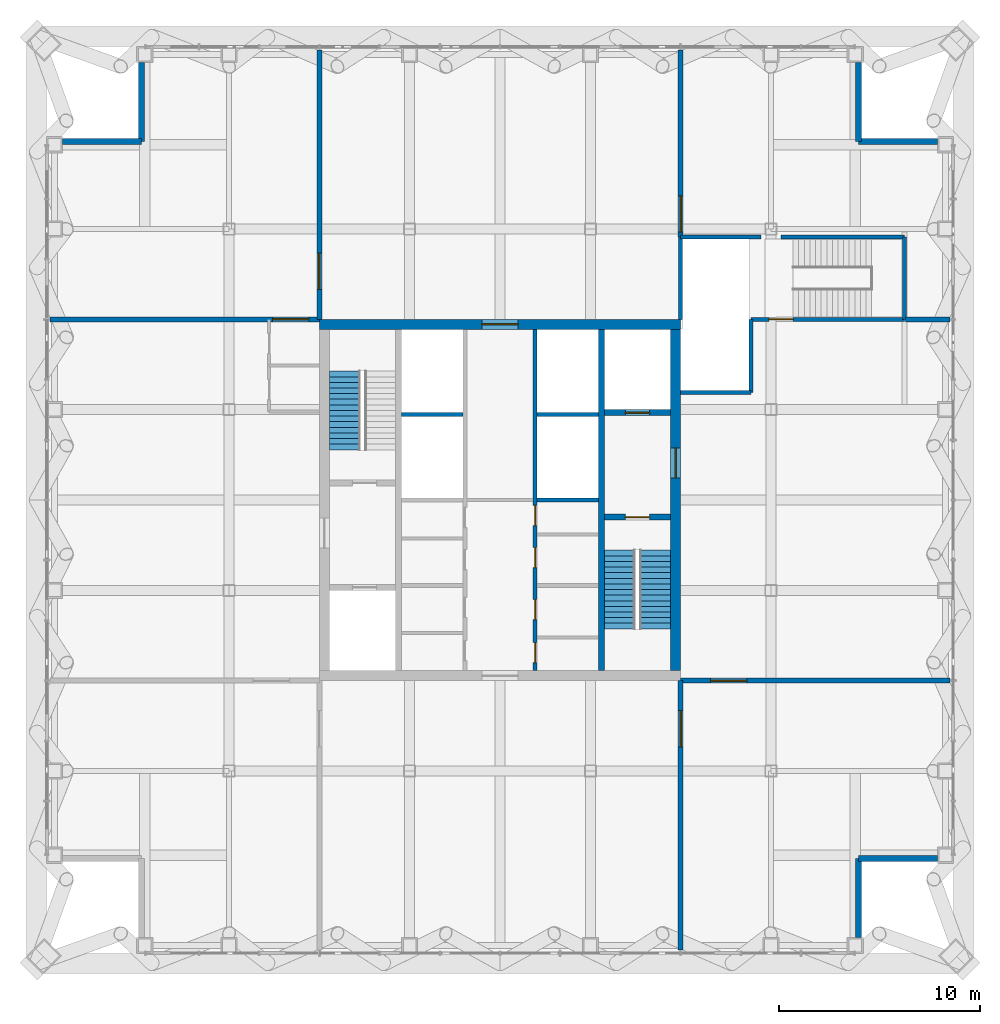
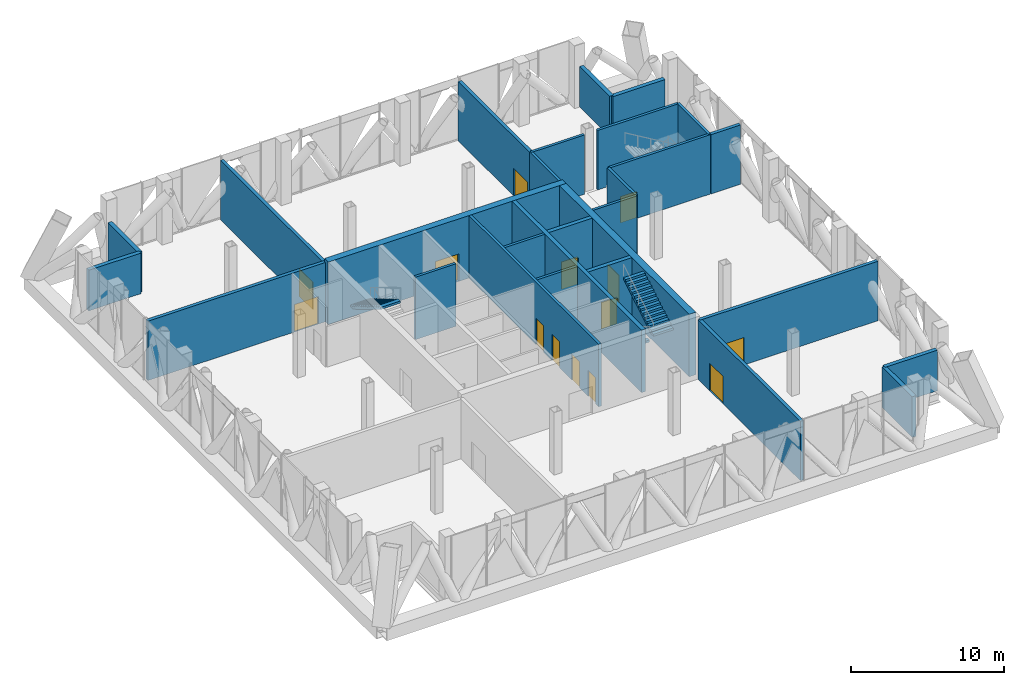
# One storey, part 15 of 27: 28 walls, 14 doors, 3 stair flights, 14 openings, 2 elements without a shape of their own.
"""IFC4 building model written with IfcOpenShell, lengths in metres."""

from ifc_helpers import new_model, si_unit, direction, frame, frame_2d, origin, place, context, subcontext, project, spatial, polyline, rectangle, outline, extrude, material, layer, layer_set, type_object, element, fill, aggregate, save


model = new_model("IFC4")

# Units and contexts
model_context = context("Model", 3, precision=1e-05, world=origin(), true_north=direction((0.0, 1.0)))
body_context = subcontext(model_context, "Body", "Model", "MODEL_VIEW")
ifc_project = project(units=[si_unit("LENGTHUNIT", "METRE"), si_unit("AREAUNIT", "SQUARE_METRE"), si_unit("VOLUMEUNIT", "CUBIC_METRE"), si_unit("PLANEANGLEUNIT", "RADIAN"), si_unit("MASSUNIT", "GRAM", prefix="KILO")], contexts=[model_context])

# Site, building, storey
site_placement = place(None, origin())
site = spatial("IfcSite", under=ifc_project, at=site_placement, CompositionType="ELEMENT")
building_placement = place(site_placement, origin())
building = spatial("IfcBuilding", under=site, at=building_placement, Name="Malebo Sky Hospital", CompositionType="ELEMENT")
storey_placement = place(building_placement, frame((0.0, 0.0, 245.0)))
storey = spatial("IfcBuildingStorey", under=building, at=storey_placement, Name="L59", CompositionType="ELEMENT", Elevation=245.0)

# Wall, openings, doors
ifc_material_1 = material(Name="Concrete C80/95", Category="concrete")
ifc_layer_1 = layer(ifc_material_1, 0.199951171875)
ifc_layer_set_1 = layer_set([ifc_layer_1], Name="CORE INNER WALL 200")
wall_type_1 = type_object("IfcWallType", Name="CORE INNER WALL 200", PredefinedType="SHEAR", material=ifc_layer_set_1)
wall_1_placement = place(storey_placement, frame((61.75, 53.5, 0.0), z_axis=(0.0, 0.0, 1.0), x_axis=(0.0, 1.0, 0.0)))
wall_1 = element("IfcWall", 1, at=wall_1_placement, inside=storey, type_object=wall_type_1, Name="Core wall LE L59", PredefinedType="SHEAR", context=body_context, shape_type="SweptSolid", body=[
    extrude(rectangle(XDim=17.0, YDim=0.199951171875, at=frame_2d((8.5, 0.0))), origin(), (0.0, 0.0, 1.0), 5.0),
])
opening_1_placement = place(wall_1_placement, frame((0.392578125, 0.0, 0.0)))
opening_1 = element("IfcOpeningElement", 2, at=opening_1_placement, cuts=wall_1, Name="Opening D17", PredefinedType="OPENING", context=body_context, shape_type="SweptSolid", body=[
    extrude(rectangle(XDim=1.0, YDim=2.10009765625, at=frame_2d((0.5, 1.050048828125))), frame((0.0, 0.10986328125, 0.0), z_axis=(0.0, -1.0, 0.0), x_axis=(1.0, 0.0, 0.0)), (0.0, 0.0, 1.0), 0.219970703125),
])
opening_2_placement = place(wall_1_placement, frame((2.54248046875, 0.0, 0.0)))
opening_2 = element("IfcOpeningElement", 3, at=opening_2_placement, cuts=wall_1, Name="Opening D17", PredefinedType="OPENING", context=body_context, shape_type="SweptSolid", body=[
    extrude(rectangle(XDim=1.0, YDim=2.10009765625, at=frame_2d((0.5, 1.050048828125))), frame((0.0, 0.10986328125, 0.0), z_axis=(0.0, -1.0, 0.0), x_axis=(1.0, 0.0, 0.0)), (0.0, 0.0, 1.0), 0.219970703125),
])
opening_3_placement = place(wall_1_placement, frame((5.12744140625, 0.0, 0.0)))
opening_3 = element("IfcOpeningElement", 4, at=opening_3_placement, cuts=wall_1, Name="Opening D17", PredefinedType="OPENING", context=body_context, shape_type="SweptSolid", body=[
    extrude(rectangle(XDim=1.0, YDim=2.10009765625, at=frame_2d((0.5, 1.050048828125))), frame((0.0, 0.10986328125, 0.0), z_axis=(0.0, -1.0, 0.0), x_axis=(1.0, 0.0, 0.0)), (0.0, 0.0, 1.0), 0.219970703125),
])
opening_4_placement = place(wall_1_placement, frame((7.2275390625, 0.0, 0.0)))
opening_4 = element("IfcOpeningElement", 5, at=opening_4_placement, cuts=wall_1, Name="Opening D17", PredefinedType="OPENING", context=body_context, shape_type="SweptSolid", body=[
    extrude(rectangle(XDim=1.0, YDim=2.10009765625, at=frame_2d((0.5, 1.050048828125))), frame((0.0, 0.10986328125, 0.0), z_axis=(0.0, -1.0, 0.0), x_axis=(1.0, 0.0, 0.0)), (0.0, 0.0, 1.0), 0.219970703125),
])
ifc_material_2 = material(Name="Hardwood-faced door leaf in steel frame", Category="steel")
door_type_1 = type_object("IfcDoorType", Name="FIRE DOOR 1000", OperationType="SINGLE_SWING_LEFT", PredefinedType="DOOR", material=ifc_material_2)
door_1_placement = place(opening_1_placement, origin())
door_1 = element("IfcDoor", 6, at=door_1_placement, inside=storey, type_object=door_type_1, Name="Pipe riser room door", OperationType="SINGLE_SWING_RIGHT", OverallHeight=2.10009765625, OverallWidth=1.0, PredefinedType="DOOR", context=body_context, shape_type="SweptSolid", body=[
    extrude(rectangle(XDim=1.0, YDim=2.10009765625, at=frame_2d((0.5, 1.050048828125))), frame((0.0, 0.02490234375, 0.0), z_axis=(0.0, -1.0, 0.0), x_axis=(1.0, 0.0, 0.0)), (0.0, 0.0, 1.0), 0.050048828125),
])
fill(opening_1, door_1)
door_2_placement = place(opening_2_placement, origin())
door_2 = element("IfcDoor", 7, at=door_2_placement, inside=storey, type_object=door_type_1, Name="Cable riser room door", OperationType="SINGLE_SWING_RIGHT", OverallHeight=2.10009765625, OverallWidth=1.0, PredefinedType="DOOR", context=body_context, shape_type="SweptSolid", body=[
    extrude(rectangle(XDim=1.0, YDim=2.10009765625, at=frame_2d((0.5, 1.050048828125))), frame((0.0, 0.02490234375, 0.0), z_axis=(0.0, -1.0, 0.0), x_axis=(1.0, 0.0, 0.0)), (0.0, 0.0, 1.0), 0.050048828125),
])
fill(opening_2, door_2)
door_3_placement = place(opening_3_placement, origin())
door_3 = element("IfcDoor", 8, at=door_3_placement, inside=storey, type_object=door_type_1, Name="Duct riser room door", OperationType="SINGLE_SWING_RIGHT", OverallHeight=2.10009765625, OverallWidth=1.0, PredefinedType="DOOR", context=body_context, shape_type="SweptSolid", body=[
    extrude(rectangle(XDim=1.0, YDim=2.10009765625, at=frame_2d((0.5, 1.050048828125))), frame((0.0, 0.02490234375, 0.0), z_axis=(0.0, -1.0, 0.0), x_axis=(1.0, 0.0, 0.0)), (0.0, 0.0, 1.0), 0.050048828125),
])
fill(opening_3, door_3)
door_4_placement = place(opening_4_placement, origin())
door_4 = element("IfcDoor", 9, at=door_4_placement, inside=storey, type_object=door_type_1, Name="Pipe riser room door", OperationType="SINGLE_SWING_RIGHT", OverallHeight=2.10009765625, OverallWidth=1.0, PredefinedType="DOOR", context=body_context, shape_type="SweptSolid", body=[
    extrude(rectangle(XDim=1.0, YDim=2.10009765625, at=frame_2d((0.5, 1.050048828125))), frame((0.0, 0.02490234375, 0.0), z_axis=(0.0, -1.0, 0.0), x_axis=(1.0, 0.0, 0.0)), (0.0, 0.0, 1.0), 0.050048828125),
])
fill(opening_4, door_4)

# Walls
for number, where, z_axis, x_axis, name in (
    (10, (61.85009765625, 62.0, 0.0), (0.0, 0.0, 1.0), (1.0, 0.0, 0.0), "Core wall SE1 L59"),
    (11, (55.10009765625, 66.25, 0.0), (0.0, 0.0, 1.0), (1.0, 0.0, 0.0), "Core wall SW2 L59"),
    (12, (61.85009765625, 66.25, 0.0), (0.0, 0.0, 1.0), (1.0, 0.0, 0.0), "Core wall SE2 L59"),
):
    element("IfcWall", number, at=place(storey_placement, frame(where, z_axis=z_axis, x_axis=x_axis)), inside=storey, type_object=wall_type_1, Name=name, PredefinedType="SHEAR", context=body_context, shape_type="SweptSolid", body=[
        extrude(rectangle(XDim=3.0498046875, YDim=0.199951171875, at=frame_2d((1.52490234375, 0.0))), origin(), (0.0, 0.0, 1.0), 5.0),
    ])
ifc_layer_2 = layer(ifc_material_1, 0.300048828125)
ifc_layer_set_2 = layer_set([ifc_layer_2], Name="CORE INNER WALL 300")
wall_type_2 = type_object("IfcWallType", Name="CORE INNER WALL 300", PredefinedType="SHEAR", material=ifc_layer_set_2)
wall_2_placement = place(storey_placement, frame((65.050048828125, 53.5, 0.0), z_axis=(0.0, 0.0, 1.0), x_axis=(0.0, 1.0, 0.0)))
element("IfcWall", 13, at=wall_2_placement, inside=storey, type_object=wall_type_2, Name="Core wall XE L59", PredefinedType="SHEAR", context=body_context, shape_type="SweptSolid", body=[
    extrude(rectangle(XDim=17.0, YDim=0.300048828125, at=frame_2d((8.5, 0.0))), origin(), (0.0, 0.0, 1.0), 5.0),
])

# Wall, opening, door
wall_3_placement = place(storey_placement, frame((65.199951171875, 61.14990234375, 0.0), z_axis=(0.0, 0.0, 1.0), x_axis=(1.0, 0.0, 0.0)))
wall_3 = element("IfcWall", 14, at=wall_3_placement, inside=storey, type_object=wall_type_2, Name="Core wall E1 L59", PredefinedType="SHEAR", context=body_context, shape_type="SweptSolid", body=[
    extrude(rectangle(XDim=3.300048828125, YDim=0.300048828125, at=frame_2d((1.64990234375, 0.0))), origin(), (0.0, 0.0, 1.0), 5.0),
])
opening_5_placement = place(wall_3_placement, frame((1.050048828125, 0.0, 0.0)))
opening_5 = element("IfcOpeningElement", 15, at=opening_5_placement, cuts=wall_3, Name="Opening D08", PredefinedType="OPENING", context=body_context, shape_type="SweptSolid", body=[
    extrude(rectangle(XDim=1.199951171875, YDim=2.10009765625, at=frame_2d((0.60009765625, 1.050048828125))), frame((0.0, 0.159912109375, 0.0), z_axis=(0.0, -1.0, 0.0), x_axis=(1.0, 0.0, 0.0)), (0.0, 0.0, 1.0), 0.320068359375),
])
door_type_2 = type_object("IfcDoorType", Name="STAIR DOOR 1200", OperationType="SINGLE_SWING_LEFT", PredefinedType="DOOR", material=ifc_material_2)
door_5_placement = place(opening_5_placement, origin())
door_5 = element("IfcDoor", 16, at=door_5_placement, inside=storey, type_object=door_type_2, Name="Stair S2 door", OperationType="SINGLE_SWING_LEFT", OverallHeight=2.10009765625, OverallWidth=1.199951171875, PredefinedType="DOOR", context=body_context, shape_type="SweptSolid", body=[
    extrude(rectangle(XDim=1.199951171875, YDim=2.10009765625, at=frame_2d((0.60009765625, 1.050048828125))), frame((0.0, 0.02490234375, 0.0), z_axis=(0.0, -1.0, 0.0), x_axis=(1.0, 0.0, 0.0)), (0.0, 0.0, 1.0), 0.050048828125),
])
fill(opening_5, door_5)

wall_4_placement = place(storey_placement, frame((65.199951171875, 66.35009765625, 0.0), z_axis=(0.0, 0.0, 1.0), x_axis=(1.0, 0.0, 0.0)))
wall_4 = element("IfcWall", 17, at=wall_4_placement, inside=storey, type_object=wall_type_2, Name="Core wall E2 L59", PredefinedType="SHEAR", context=body_context, shape_type="SweptSolid", body=[
    extrude(rectangle(XDim=3.300048828125, YDim=0.300048828125, at=frame_2d((1.64990234375, 0.0))), origin(), (0.0, 0.0, 1.0), 5.0),
])
opening_6_placement = place(wall_4_placement, frame((1.050048828125, 0.0, 0.0)))
opening_6 = element("IfcOpeningElement", 18, at=opening_6_placement, cuts=wall_4, Name="Opening LD2", PredefinedType="OPENING", context=body_context, shape_type="SweptSolid", body=[
    extrude(rectangle(XDim=1.199951171875, YDim=2.199951171875, at=frame_2d((0.60009765625, 1.10009765625))), frame((0.0, 0.159912109375, 0.0), z_axis=(0.0, -1.0, 0.0), x_axis=(1.0, 0.0, 0.0)), (0.0, 0.0, 1.0), 0.320068359375),
])
ifc_material_3 = material(Name="Stainless steel sliding landing door", Category="steel")
door_type_3 = type_object("IfcDoorType", Name="FIRE-FIGHTING LIFT LANDING DOOR 1200", OperationType="SLIDING_TO_LEFT", PredefinedType="DOOR", material=ifc_material_3)
door_6_placement = place(opening_6_placement, origin())
door_6 = element("IfcDoor", 19, at=door_6_placement, inside=storey, type_object=door_type_3, Name="Lift FL2 landing door", OperationType="SLIDING_TO_LEFT", OverallHeight=2.199951171875, OverallWidth=1.199951171875, PredefinedType="DOOR", context=body_context, shape_type="SweptSolid", body=[
    extrude(rectangle(XDim=1.199951171875, YDim=2.199951171875, at=frame_2d((0.60009765625, 1.10009765625))), frame((0.0, 0.02490234375, 0.0), z_axis=(0.0, -1.0, 0.0), x_axis=(1.0, 0.0, 0.0)), (0.0, 0.0, 1.0), 0.050048828125),
])
fill(opening_6, door_6)

ifc_layer_3 = layer(ifc_material_1, 0.5)
ifc_layer_set_3 = layer_set([ifc_layer_3], Name="CORE WALL 500")
wall_type_3 = type_object("IfcWallType", Name="CORE WALL 500", PredefinedType="SHEAR", material=ifc_layer_set_3)
wall_5_placement = place(storey_placement, frame((51.0, 70.75, 0.0), z_axis=(0.0, 0.0, 1.0), x_axis=(1.0, 0.0, 0.0)))
wall_5 = element("IfcWall", 20, at=wall_5_placement, inside=storey, type_object=wall_type_3, Name="Core wall N L59", PredefinedType="SHEAR", context=body_context, shape_type="SweptSolid", body=[
    extrude(rectangle(XDim=18.0, YDim=0.5, at=frame_2d((9.0, 0.0))), origin(), (0.0, 0.0, 1.0), 5.0),
])
opening_7_placement = place(wall_5_placement, frame((8.10009765625, 0.0, 0.0)))
opening_7 = element("IfcOpeningElement", 21, at=opening_7_placement, cuts=wall_5, Name="Opening D06", PredefinedType="OPENING", context=body_context, shape_type="SweptSolid", body=[
    extrude(rectangle(XDim=1.800048828125, YDim=2.199951171875, at=frame_2d((0.89990234375, 1.10009765625))), frame((0.0, 0.260009765625, 0.0), z_axis=(0.0, -1.0, 0.0), x_axis=(1.0, 0.0, 0.0)), (0.0, 0.0, 1.0), 0.52001953125),
])
door_type_4 = type_object("IfcDoorType", Name="LOBBY DOOR PAIR 1800", OperationType="DOUBLE_DOOR_SINGLE_SWING", PredefinedType="DOOR", material=ifc_material_2)
door_7_placement = place(opening_7_placement, origin())
door_7 = element("IfcDoor", 22, at=door_7_placement, inside=storey, type_object=door_type_4, Name="Controls plant room door", OperationType="DOUBLE_DOOR_SINGLE_SWING", OverallHeight=2.199951171875, OverallWidth=1.800048828125, PredefinedType="DOOR", context=body_context, shape_type="SweptSolid", body=[
    extrude(rectangle(XDim=1.800048828125, YDim=2.199951171875, at=frame_2d((0.89990234375, 1.10009765625))), frame((0.0, 0.02490234375, 0.0), z_axis=(0.0, -1.0, 0.0), x_axis=(1.0, 0.0, 0.0)), (0.0, 0.0, 1.0), 0.050048828125),
])
fill(opening_7, door_7)

wall_6_placement = place(storey_placement, frame((68.75, 53.5, 0.0), z_axis=(0.0, 0.0, 1.0), x_axis=(0.0, 1.0, 0.0)))
wall_6 = element("IfcWall", 23, at=wall_6_placement, inside=storey, type_object=wall_type_3, Name="Core wall E L59", PredefinedType="SHEAR", context=body_context, shape_type="SweptSolid", body=[
    extrude(rectangle(XDim=17.0, YDim=0.5, at=frame_2d((8.5, 0.0))), origin(), (0.0, 0.0, 1.0), 5.0),
])
opening_8_placement = place(wall_6_placement, frame((9.60009765625, 0.0, 0.0)))
opening_8 = element("IfcOpeningElement", 24, at=opening_8_placement, cuts=wall_6, Name="Opening D07", PredefinedType="OPENING", context=body_context, shape_type="SweptSolid", body=[
    extrude(rectangle(XDim=1.5, YDim=2.199951171875, at=frame_2d((0.75, 1.10009765625))), frame((0.0, 0.260009765625, 0.0), z_axis=(0.0, -1.0, 0.0), x_axis=(1.0, 0.0, 0.0)), (0.0, 0.0, 1.0), 0.52001953125),
])
door_type_5 = type_object("IfcDoorType", Name="FIRE-FIGHTING LOBBY DOOR PAIR 1500", OperationType="DOUBLE_DOOR_SINGLE_SWING", PredefinedType="DOOR", material=ifc_material_2)
door_8_placement = place(opening_8_placement, origin())
door_8 = element("IfcDoor", 25, at=door_8_placement, inside=storey, type_object=door_type_5, Name="Fire-fighting lobby door east", OperationType="DOUBLE_DOOR_SINGLE_SWING", OverallHeight=2.199951171875, OverallWidth=1.5, PredefinedType="DOOR", context=body_context, shape_type="SweptSolid", body=[
    extrude(rectangle(XDim=1.5, YDim=2.199951171875, at=frame_2d((0.75, 1.10009765625))), frame((0.0, 0.02490234375, 0.0), z_axis=(0.0, -1.0, 0.0), x_axis=(1.0, 0.0, 0.0)), (0.0, 0.0, 1.0), 0.050048828125),
])
fill(opening_8, door_8)

# Walls
ifc_material_4 = material(Name="Anodised aluminium rainscreen on steel framing", Category="steel")
ifc_layer_4 = layer(ifc_material_4, 0.300048828125)
ifc_layer_set_4 = layer_set([ifc_layer_4], Name="NOTCH RAINSCREEN WALL 300")
wall_type_4 = type_object("IfcWallType", Name="NOTCH RAINSCREEN WALL 300", PredefinedType="ELEMENTEDWALL", material=ifc_layer_set_4)
for number, where, z_axis, x_axis, name in (
    (26, (77.85009765625, 83.800048828125, 0.0), (0.0, 0.0, 1.0), (0.0, -1.0, 0.0), "Notch rainscreen wall N1 L59"),
    (27, (77.85009765625, 79.85009765625, 0.0), (0.0, 0.0, 1.0), (1.0, 0.0, 0.0), "Notch rainscreen wall N2 L59"),
    (28, (38.199951171875, 79.85009765625, 0.0), (0.0, 0.0, 1.0), (1.0, 0.0, 0.0), "Notch rainscreen wall W1 L59"),
    (29, (42.14990234375, 79.85009765625, 0.0), (0.0, 0.0, 1.0), (0.0, 1.0, 0.0), "Notch rainscreen wall W2 L59"),
    (30, (81.800048828125, 44.14990234375, 0.0), (0.0, 0.0, 1.0), (-1.0, 0.0, 0.0), "Notch rainscreen wall E1 L59"),
    (31, (77.85009765625, 44.14990234375, 0.0), (0.0, 0.0, 1.0), (0.0, -1.0, 0.0), "Notch rainscreen wall E2 L59"),
):
    element("IfcWall", number, at=place(storey_placement, frame(where, z_axis=z_axis, x_axis=x_axis)), inside=storey, type_object=wall_type_4, Name=name, PredefinedType="ELEMENTEDWALL", context=body_context, shape_type="SweptSolid", body=[
        extrude(rectangle(XDim=3.949951171875, YDim=0.300048828125, at=frame_2d((1.97509765625, 0.0))), origin(), (0.0, 0.0, 1.0), 3.25),
    ])

# Wall, opening, door
ifc_material_5 = material(Name="Concrete blockwork", Category="masonry")
ifc_layer_5 = layer(ifc_material_5, 0.25)
ifc_layer_set_5 = layer_set([ifc_layer_5], Name="PLANT ROOM WALL 250")
wall_type_5 = type_object("IfcWallType", Name="PLANT ROOM WALL 250", PredefinedType="SOLIDWALL", material=ifc_layer_set_5)
wall_7_placement = place(storey_placement, frame((69.0, 75.10009765625, 0.0), z_axis=(0.0, 0.0, 1.0), x_axis=(0.0, 1.0, 0.0)))
wall_7 = element("IfcWall", 32, at=wall_7_placement, inside=storey, type_object=wall_type_5, Name="Plant Room Wall 250 NP9", PredefinedType="SOLIDWALL", context=body_context, shape_type="SweptSolid", body=[
    extrude(rectangle(XDim=9.324951171875, YDim=0.25, at=frame_2d((4.66259765625, 0.0))), origin(), (0.0, 0.0, 1.0), 4.75),
])
opening_9_placement = place(wall_7_placement, frame((0.25, 0.0, 0.0)))
opening_9 = element("IfcOpeningElement", 33, at=opening_9_placement, cuts=wall_7, Name="Opening D09", PredefinedType="OPENING", context=body_context, shape_type="SweptSolid", body=[
    extrude(rectangle(XDim=1.800048828125, YDim=2.199951171875, at=frame_2d((0.89990234375, 1.10009765625))), frame((0.0, 0.135009765625, 0.0), z_axis=(0.0, -1.0, 0.0), x_axis=(1.0, 0.0, 0.0)), (0.0, 0.0, 1.0), 0.27001953125),
])
door_type_6 = type_object("IfcDoorType", Name="PLANT ROOM DOOR PAIR 1800", OperationType="DOUBLE_DOOR_SINGLE_SWING", PredefinedType="DOOR", material=ifc_material_2)
door_9_placement = place(opening_9_placement, origin())
door_9 = element("IfcDoor", 34, at=door_9_placement, inside=storey, type_object=door_type_6, Name="Medical gas plant room door", OperationType="DOUBLE_DOOR_SINGLE_SWING", OverallHeight=2.199951171875, OverallWidth=1.800048828125, PredefinedType="DOOR", context=body_context, shape_type="SweptSolid", body=[
    extrude(rectangle(XDim=1.800048828125, YDim=2.199951171875, at=frame_2d((0.89990234375, 1.10009765625))), frame((0.0, 0.02490234375, 0.0), z_axis=(0.0, -1.0, 0.0), x_axis=(1.0, 0.0, 0.0)), (0.0, 0.0, 1.0), 0.050048828125),
])
fill(opening_9, door_9)

wall_8_placement = place(storey_placement, frame((51.0, 71.0, 0.0), z_axis=(0.0, 0.0, 1.0), x_axis=(0.0, 1.0, 0.0)))
wall_8 = element("IfcWall", 35, at=wall_8_placement, inside=storey, type_object=wall_type_5, Name="Plant Room Wall 250 NP8", PredefinedType="SOLIDWALL", context=body_context, shape_type="SweptSolid", body=[
    extrude(rectangle(XDim=13.425048828125, YDim=0.25, at=frame_2d((6.71240234375, 0.0))), origin(), (0.0, 0.0, 1.0), 4.75),
])
opening_10_placement = place(wall_8_placement, frame((1.5, 0.0, 0.0)))
opening_10 = element("IfcOpeningElement", 36, at=opening_10_placement, cuts=wall_8, Name="Opening D09", PredefinedType="OPENING", context=body_context, shape_type="SweptSolid", body=[
    extrude(rectangle(XDim=1.800048828125, YDim=2.199951171875, at=frame_2d((0.89990234375, 1.10009765625))), frame((0.0, 0.135009765625, 0.0), z_axis=(0.0, -1.0, 0.0), x_axis=(1.0, 0.0, 0.0)), (0.0, 0.0, 1.0), 0.27001953125),
])
door_10_placement = place(opening_10_placement, origin())
door_10 = element("IfcDoor", 37, at=door_10_placement, inside=storey, type_object=door_type_6, Name="Air handling plant room door", OperationType="DOUBLE_DOOR_SINGLE_SWING", OverallHeight=2.199951171875, OverallWidth=1.800048828125, PredefinedType="DOOR", context=body_context, shape_type="SweptSolid", body=[
    extrude(rectangle(XDim=1.800048828125, YDim=2.199951171875, at=frame_2d((0.89990234375, 1.10009765625))), frame((0.0, 0.02490234375, 0.0), z_axis=(0.0, -1.0, 0.0), x_axis=(1.0, 0.0, 0.0)), (0.0, 0.0, 1.0), 0.050048828125),
])
fill(opening_10, door_10)

wall_9_placement = place(storey_placement, frame((51.0, 71.0, 0.0), z_axis=(0.0, 0.0, 1.0), x_axis=(-1.0, 0.0, 0.0)))
wall_9 = element("IfcWall", 38, at=wall_9_placement, inside=storey, type_object=wall_type_5, Name="Plant Room Wall 250 WP9", PredefinedType="SOLIDWALL", context=body_context, shape_type="SweptSolid", body=[
    extrude(rectangle(XDim=13.425048828125, YDim=0.25, at=frame_2d((6.71240234375, 0.0))), origin(), (0.0, 0.0, 1.0), 4.75),
])
opening_11_placement = place(wall_9_placement, frame((0.52490234375, 0.0, 0.0)))
opening_11 = element("IfcOpeningElement", 39, at=opening_11_placement, cuts=wall_9, Name="Opening D09", PredefinedType="OPENING", context=body_context, shape_type="SweptSolid", body=[
    extrude(rectangle(XDim=1.800048828125, YDim=2.199951171875, at=frame_2d((0.89990234375, 1.10009765625))), frame((0.0, 0.135009765625, 0.0), z_axis=(0.0, -1.0, 0.0), x_axis=(1.0, 0.0, 0.0)), (0.0, 0.0, 1.0), 0.27001953125),
])
door_11_placement = place(opening_11_placement, origin())
door_11 = element("IfcDoor", 40, at=door_11_placement, inside=storey, type_object=door_type_6, Name="Water tank room door", OperationType="DOUBLE_DOOR_SINGLE_SWING", OverallHeight=2.199951171875, OverallWidth=1.800048828125, PredefinedType="DOOR", context=body_context, shape_type="SweptSolid", body=[
    extrude(rectangle(XDim=1.800048828125, YDim=2.199951171875, at=frame_2d((0.89990234375, 1.10009765625))), frame((0.0, 0.02490234375, 0.0), z_axis=(0.0, -1.0, 0.0), x_axis=(1.0, 0.0, 0.0)), (0.0, 0.0, 1.0), 0.050048828125),
])
fill(opening_11, door_11)

wall_10_placement = place(storey_placement, frame((69.0, 53.0, 0.0), z_axis=(0.0, 0.0, 1.0), x_axis=(0.0, -1.0, 0.0)))
wall_10 = element("IfcWall", 41, at=wall_10_placement, inside=storey, type_object=wall_type_5, Name="Plant Room Wall 250 SP8", PredefinedType="SOLIDWALL", context=body_context, shape_type="SweptSolid", body=[
    extrude(rectangle(XDim=13.425048828125, YDim=0.25, at=frame_2d((6.71240234375, 0.0))), origin(), (0.0, 0.0, 1.0), 4.75),
])
opening_12_placement = place(wall_10_placement, frame((1.5, 0.0, 0.0)))
opening_12 = element("IfcOpeningElement", 42, at=opening_12_placement, cuts=wall_10, Name="Opening D09", PredefinedType="OPENING", context=body_context, shape_type="SweptSolid", body=[
    extrude(rectangle(XDim=1.800048828125, YDim=2.199951171875, at=frame_2d((0.89990234375, 1.10009765625))), frame((0.0, 0.135009765625, 0.0), z_axis=(0.0, -1.0, 0.0), x_axis=(1.0, 0.0, 0.0)), (0.0, 0.0, 1.0), 0.27001953125),
])
door_12_placement = place(opening_12_placement, origin())
door_12 = element("IfcDoor", 43, at=door_12_placement, inside=storey, type_object=door_type_6, Name="Chilled water plant room door", OperationType="DOUBLE_DOOR_SINGLE_SWING", OverallHeight=2.199951171875, OverallWidth=1.800048828125, PredefinedType="DOOR", context=body_context, shape_type="SweptSolid", body=[
    extrude(rectangle(XDim=1.800048828125, YDim=2.199951171875, at=frame_2d((0.89990234375, 1.10009765625))), frame((0.0, 0.02490234375, 0.0), z_axis=(0.0, -1.0, 0.0), x_axis=(1.0, 0.0, 0.0)), (0.0, 0.0, 1.0), 0.050048828125),
])
fill(opening_12, door_12)

wall_11_placement = place(storey_placement, frame((69.0, 53.0, 0.0), z_axis=(0.0, 0.0, 1.0), x_axis=(1.0, 0.0, 0.0)))
wall_11 = element("IfcWall", 44, at=wall_11_placement, inside=storey, type_object=wall_type_5, Name="Plant Room Wall 250 EP9", PredefinedType="SOLIDWALL", context=body_context, shape_type="SweptSolid", body=[
    extrude(rectangle(XDim=13.425048828125, YDim=0.25, at=frame_2d((6.71240234375, 0.0))), origin(), (0.0, 0.0, 1.0), 4.75),
])
opening_13_placement = place(wall_11_placement, frame((1.5, 0.0, 0.0)))
opening_13 = element("IfcOpeningElement", 45, at=opening_13_placement, cuts=wall_11, Name="Opening D09", PredefinedType="OPENING", context=body_context, shape_type="SweptSolid", body=[
    extrude(rectangle(XDim=1.800048828125, YDim=2.199951171875, at=frame_2d((0.89990234375, 1.10009765625))), frame((0.0, 0.135009765625, 0.0), z_axis=(0.0, -1.0, 0.0), x_axis=(1.0, 0.0, 0.0)), (0.0, 0.0, 1.0), 0.27001953125),
])
door_13_placement = place(opening_13_placement, origin())
door_13 = element("IfcDoor", 46, at=door_13_placement, inside=storey, type_object=door_type_6, Name="Fire pump room door", OperationType="DOUBLE_DOOR_SINGLE_SWING", OverallHeight=2.199951171875, OverallWidth=1.800048828125, PredefinedType="DOOR", context=body_context, shape_type="SweptSolid", body=[
    extrude(rectangle(XDim=1.800048828125, YDim=2.199951171875, at=frame_2d((0.89990234375, 1.10009765625))), frame((0.0, 0.02490234375, 0.0), z_axis=(0.0, -1.0, 0.0), x_axis=(1.0, 0.0, 0.0)), (0.0, 0.0, 1.0), 0.050048828125),
])
fill(opening_13, door_13)

# Walls
wall_12_placement = place(storey_placement, frame((80.199951171875, 71.0, 0.0), z_axis=(0.0, 0.0, 1.0), x_axis=(1.0, 0.0, 0.0)))
element("IfcWall", 47, at=wall_12_placement, inside=storey, type_object=wall_type_5, Name="Plant Room Wall 250 EP8", PredefinedType="SOLIDWALL", context=body_context, shape_type="SweptSolid", body=[
    extrude(rectangle(XDim=2.22509765625, YDim=0.25, at=frame_2d((1.112548828125, 0.0))), origin(), (0.0, 0.0, 1.0), 4.75),
])
ifc_material_6 = material(Name="Concrete C40/50", Category="concrete")
ifc_layer_6 = layer(ifc_material_6, 0.199951171875)
ifc_layer_set_6 = layer_set([ifc_layer_6], Name="STAIR ENCLOSURE WALL 200")
wall_type_6 = type_object("IfcWallType", Name="STAIR ENCLOSURE WALL 200", PredefinedType="SOLIDWALL", material=ifc_layer_set_6)
wall_13_placement = place(storey_placement, frame((69.0, 71.0, 0.0), z_axis=(0.0, 0.0, 1.0), x_axis=(0.0, 1.0, 0.0)))
element("IfcWall", 48, at=wall_13_placement, inside=storey, type_object=wall_type_6, Name="Stair Enclosure Wall 200 ST3W", PredefinedType="SOLIDWALL", context=body_context, shape_type="SweptSolid", body=[
    extrude(rectangle(XDim=4.10009765625, YDim=0.199951171875, at=frame_2d((2.050048828125, 0.0))), origin(), (0.0, 0.0, 1.0), 4.75),
])
wall_14_placement = place(storey_placement, frame((69.0, 67.35009765625, 0.0), z_axis=(0.0, 0.0, 1.0), x_axis=(1.0, 0.0, 0.0)))
element("IfcWall", 49, at=wall_14_placement, inside=storey, type_object=wall_type_6, Name="Stair Enclosure Wall 200 ST3S", PredefinedType="SOLIDWALL", context=body_context, shape_type="SweptSolid", body=[
    extrude(rectangle(XDim=3.5, YDim=0.199951171875, at=frame_2d((1.75, 0.0))), origin(), (0.0, 0.0, 1.0), 4.75),
])
wall_15_placement = place(storey_placement, frame((72.5, 67.35009765625, 0.0), z_axis=(0.0, 0.0, 1.0), x_axis=(0.0, 1.0, 0.0)))
element("IfcWall", 50, at=wall_15_placement, inside=storey, type_object=wall_type_6, Name="Stair Enclosure Wall 200 ST3E", PredefinedType="SOLIDWALL", context=body_context, shape_type="SweptSolid", body=[
    extrude(rectangle(XDim=3.64990234375, YDim=0.199951171875, at=frame_2d((1.824951171875, 0.0))), origin(), (0.0, 0.0, 1.0), 4.75),
])

# Wall, opening, door
wall_16_placement = place(storey_placement, frame((72.5, 71.0, 0.0), z_axis=(0.0, 0.0, 1.0), x_axis=(1.0, 0.0, 0.0)))
wall_16 = element("IfcWall", 51, at=wall_16_placement, inside=storey, type_object=wall_type_6, Name="Stair Enclosure Wall 200 ST3S2", PredefinedType="SOLIDWALL", context=body_context, shape_type="SweptSolid", body=[
    extrude(rectangle(XDim=7.64990234375, YDim=0.199951171875, at=frame_2d((3.824951171875, 0.0))), origin(), (0.0, 0.0, 1.0), 4.75),
])
opening_14_placement = place(wall_16_placement, frame((0.89990234375, 0.0, 0.0)))
opening_14 = element("IfcOpeningElement", 52, at=opening_14_placement, cuts=wall_16, Name="Opening D08", PredefinedType="OPENING", context=body_context, shape_type="SweptSolid", body=[
    extrude(rectangle(XDim=1.199951171875, YDim=2.10009765625, at=frame_2d((0.60009765625, 1.050048828125))), frame((0.0, 0.10986328125, 0.0), z_axis=(0.0, -1.0, 0.0), x_axis=(1.0, 0.0, 0.0)), (0.0, 0.0, 1.0), 0.219970703125),
])
door_14_placement = place(opening_14_placement, origin())
door_14 = element("IfcDoor", 53, at=door_14_placement, inside=storey, type_object=door_type_2, Name="Stair S3 door", OperationType="SINGLE_SWING_LEFT", OverallHeight=2.10009765625, OverallWidth=1.199951171875, PredefinedType="DOOR", context=body_context, shape_type="SweptSolid", body=[
    extrude(rectangle(XDim=1.199951171875, YDim=2.10009765625, at=frame_2d((0.60009765625, 1.050048828125))), frame((0.0, 0.02490234375, 0.0), z_axis=(0.0, -1.0, 0.0), x_axis=(1.0, 0.0, 0.0)), (0.0, 0.0, 1.0), 0.050048828125),
])
fill(opening_14, door_14)

# Walls
wall_17_placement = place(storey_placement, frame((80.14990234375, 71.0, 0.0), z_axis=(0.0, 0.0, 1.0), x_axis=(0.0, 1.0, 0.0)))
element("IfcWall", 54, at=wall_17_placement, inside=storey, type_object=wall_type_6, Name="Stair Enclosure Wall 200 ST3EE", PredefinedType="SOLIDWALL", context=body_context, shape_type="SweptSolid", body=[
    extrude(rectangle(XDim=4.10009765625, YDim=0.199951171875, at=frame_2d((2.050048828125, 0.0))), origin(), (0.0, 0.0, 1.0), 4.75),
])
wall_18_placement = place(storey_placement, frame((69.0, 75.10009765625, 0.0), z_axis=(0.0, 0.0, 1.0), x_axis=(1.0, 0.0, 0.0)))
element("IfcWall", 55, at=wall_18_placement, inside=storey, type_object=wall_type_6, Name="Stair Enclosure Wall 200 ST3N1", PredefinedType="SOLIDWALL", context=body_context, shape_type="SweptSolid", body=[
    extrude(rectangle(XDim=4.0, YDim=0.199951171875, at=frame_2d((2.0, 0.0))), origin(), (0.0, 0.0, 1.0), 4.75),
])
wall_19_placement = place(storey_placement, frame((74.0, 75.10009765625, 0.0), z_axis=(0.0, 0.0, 1.0), x_axis=(1.0, 0.0, 0.0)))
element("IfcWall", 56, at=wall_19_placement, inside=storey, type_object=wall_type_6, Name="Stair Enclosure Wall 200 ST3N2", PredefinedType="SOLIDWALL", context=body_context, shape_type="SweptSolid", body=[
    extrude(rectangle(XDim=6.14990234375, YDim=0.199951171875, at=frame_2d((3.074951171875, 0.0))), origin(), (0.0, 0.0, 1.0), 4.75),
])

# Stair, stair flight
stair_type = type_object("IfcStairType", Name="HALF-TURN STAIR 1500 R167", PredefinedType="HALF_TURN_STAIR", material=ifc_material_6)
stair_1_placement = place(storey_placement, origin())
stair_1 = element("IfcStair", 57, at=stair_1_placement, inside=storey, type_object=stair_type, Name="Stair S1 L59 type ST1", PredefinedType="HALF_TURN_STAIR")
stair_flight_type = type_object("IfcStairFlightType", Name="STAIR FLIGHT 1500 R167", PredefinedType="STRAIGHT", material=ifc_material_6)
stair_flight_1_placement = place(storey_placement, frame((52.25, 68.419921875, 2.5), z_axis=(0.0, 0.0, 1.0), x_axis=(0.0, -1.0, 0.0)))
stair_flight_1 = element("IfcStairFlight", 58, at=stair_flight_1_placement, type_object=stair_flight_type, Name="S1 flight 2 type SF1", NumberOfRisers=15, NumberOfTreads=14, PredefinedType="STRAIGHT", RiserHeight=0.166666667, TreadLength=0.28, context=body_context, shape_type="SweptSolid", body=[
    extrude(outline(polyline([(0.0, 0.0), (0.0, 0.166748046875), (0.280029296875, 0.166748046875), (0.280029296875, 0.333251953125), (0.56005859375, 0.333251953125), (0.56005859375, 0.5), (0.840087890625, 0.5), (0.840087890625, 0.666748046875), (1.1201171875, 0.666748046875), (1.1201171875, 0.833251953125), (1.39990234375, 0.833251953125), (1.39990234375, 1.0), (1.679931640625, 1.0), (1.679931640625, 1.166748046875), (1.9599609375, 1.166748046875), (1.9599609375, 1.333251953125), (2.239990234375, 1.333251953125), (2.239990234375, 1.5), (2.52001953125, 1.5), (2.52001953125, 1.666748046875), (2.800048828125, 1.666748046875), (2.800048828125, 1.833251953125), (3.080078125, 1.833251953125), (3.080078125, 2.0), (3.360107421875, 2.0), (3.360107421875, 2.166748046875), (3.639892578125, 2.166748046875), (3.639892578125, 2.333251953125), (3.919921875, 2.333251953125), (3.919921875, 2.5), (3.919921875, 2.158935546875), (0.29296875, 0.0), (0.0, 0.0)])), frame((0.0, 0.75, 0.0), z_axis=(0.0, -1.0, 0.0), x_axis=(1.0, 0.0, 0.0)), (0.0, 0.0, 1.0), 1.5),
])
aggregate(stair_1, [stair_flight_1])

# Stair, stair flights
stair_2_placement = place(storey_placement, origin())
stair_2 = element("IfcStair", 59, at=stair_2_placement, inside=storey, type_object=stair_type, Name="Stair S2 L59 type ST1", PredefinedType="HALF_TURN_STAIR")
stair_flight_2_placement = place(storey_placement, frame((65.949951171875, 59.5, 0.0), z_axis=(0.0, 0.0, 1.0), x_axis=(0.0, -1.0, 0.0)))
stair_flight_2 = element("IfcStairFlight", 60, at=stair_flight_2_placement, type_object=stair_flight_type, Name="S2 flight 1 type SF1", NumberOfRisers=15, NumberOfTreads=14, PredefinedType="STRAIGHT", RiserHeight=0.166666667, TreadLength=0.28, context=body_context, shape_type="SweptSolid", body=[
    extrude(outline(polyline([(0.0, 0.0), (0.0, 0.166748046875), (0.280029296875, 0.166748046875), (0.280029296875, 0.333251953125), (0.56005859375, 0.333251953125), (0.56005859375, 0.5), (0.840087890625, 0.5), (0.840087890625, 0.666748046875), (1.1201171875, 0.666748046875), (1.1201171875, 0.833251953125), (1.39990234375, 0.833251953125), (1.39990234375, 1.0), (1.679931640625, 1.0), (1.679931640625, 1.166748046875), (1.9599609375, 1.166748046875), (1.9599609375, 1.333251953125), (2.239990234375, 1.333251953125), (2.239990234375, 1.5), (2.52001953125, 1.5), (2.52001953125, 1.666748046875), (2.800048828125, 1.666748046875), (2.800048828125, 1.833251953125), (3.080078125, 1.833251953125), (3.080078125, 2.0), (3.360107421875, 2.0), (3.360107421875, 2.166748046875), (3.639892578125, 2.166748046875), (3.639892578125, 2.333251953125), (3.919921875, 2.333251953125), (3.919921875, 2.5), (3.919921875, 2.158935546875), (0.29296875, 0.0), (0.0, 0.0)])), frame((0.0, 0.75, 0.0), z_axis=(0.0, -1.0, 0.0), x_axis=(1.0, 0.0, 0.0)), (0.0, 0.0, 1.0), 1.5),
])
stair_flight_3_placement = place(storey_placement, frame((67.75, 55.580078125, 2.5), z_axis=(0.0, 0.0, 1.0), x_axis=(0.0, 1.0, 0.0)))
stair_flight_3 = element("IfcStairFlight", 61, at=stair_flight_3_placement, type_object=stair_flight_type, Name="S2 flight 2 type SF1", NumberOfRisers=15, NumberOfTreads=14, PredefinedType="STRAIGHT", RiserHeight=0.166666667, TreadLength=0.28, context=body_context, shape_type="SweptSolid", body=[
    extrude(outline(polyline([(0.0, 0.0), (0.0, 0.166748046875), (0.280029296875, 0.166748046875), (0.280029296875, 0.333251953125), (0.56005859375, 0.333251953125), (0.56005859375, 0.5), (0.840087890625, 0.5), (0.840087890625, 0.666748046875), (1.1201171875, 0.666748046875), (1.1201171875, 0.833251953125), (1.39990234375, 0.833251953125), (1.39990234375, 1.0), (1.679931640625, 1.0), (1.679931640625, 1.166748046875), (1.9599609375, 1.166748046875), (1.9599609375, 1.333251953125), (2.239990234375, 1.333251953125), (2.239990234375, 1.5), (2.52001953125, 1.5), (2.52001953125, 1.666748046875), (2.800048828125, 1.666748046875), (2.800048828125, 1.833251953125), (3.080078125, 1.833251953125), (3.080078125, 2.0), (3.360107421875, 2.0), (3.360107421875, 2.166748046875), (3.639892578125, 2.166748046875), (3.639892578125, 2.333251953125), (3.919921875, 2.333251953125), (3.919921875, 2.5), (3.919921875, 2.158935546875), (0.29296875, 0.0), (0.0, 0.0)])), frame((0.0, 0.75, 0.0), z_axis=(0.0, -1.0, 0.0), x_axis=(1.0, 0.0, 0.0)), (0.0, 0.0, 1.0), 1.5),
])
aggregate(stair_2, [stair_flight_2, stair_flight_3])

save(model, "model.ifc")
